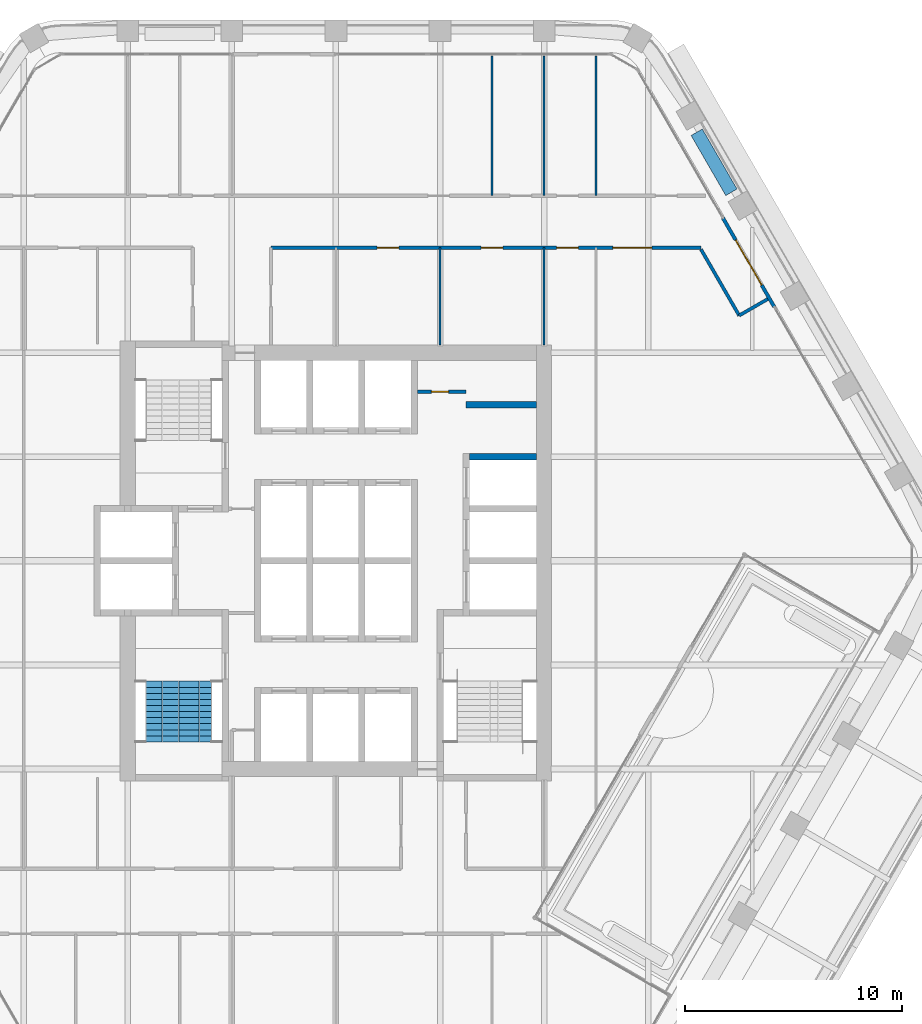
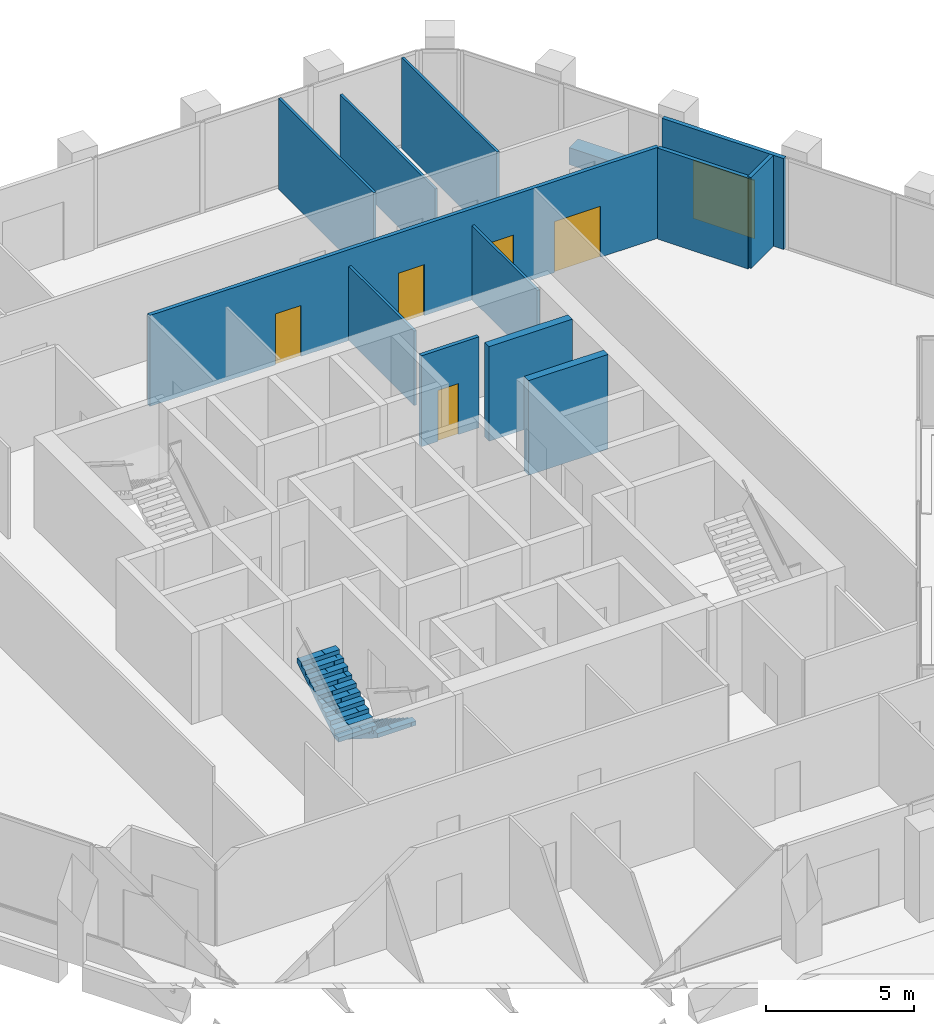
# One storey, part 14 of 17: 13 walls, 6 doors, 2 stair flights, 6 openings, 1 element without a shape of its own.
"""IFC4 building model written with IfcOpenShell, lengths in metres."""

import ifcopenshell
import ifcopenshell.guid

model = None  # the IFC model being written
_history = None  # IfcOwnerHistory: only IFC2X3 demands one
_inside = {}  # id of a spatial element -> (the spatial element, [elements in it])
_under = {}  # id of a project, library or spatial element -> (it, [spatial elements below it])
_declared = {}  # id of a project -> (the project, [libraries it declares])
_typed = {}  # id of a type object -> (the type object, [elements of that type])
_made_of = {}  # id of a material, layer set ... -> (it, [elements and type objects made of it])


def new_model(schema):
    """Start an empty IFC model of exactly this schema.

    Asked for "IFC4X3", IfcOpenShell would pick the latest addendum, in which some entities
    have other attributes; the version numbers below select the first issue.
    IFC2X3 requires an IfcOwnerHistory on every rooted entity: one is made here for all.
    """
    global model, _history
    if schema == "IFC4X3":
        model = ifcopenshell.file(schema_version=(4, 3, 0, 0))
    else:
        model = ifcopenshell.file(schema=schema)
    _inside.clear()
    _under.clear()
    _declared.clear()
    _typed.clear()
    _made_of.clear()
    _history = None
    if model.schema == "IFC2X3":
        org = make("IfcOrganization", Name="unknown")
        user = make(
            "IfcPersonAndOrganization",
            ThePerson=make("IfcPerson", FamilyName="unknown"),
            TheOrganization=org,
        )
        app = make(
            "IfcApplication",
            ApplicationDeveloper=org,
            Version="unknown",
            ApplicationFullName="unknown",
            ApplicationIdentifier="unknown",
        )
        _history = make(
            "IfcOwnerHistory",
            OwningUser=user,
            OwningApplication=app,
            ChangeAction="ADDED",
            CreationDate=0,
        )
    return model


def make(cls, **values):
    """One entity of the class cls with the attributes given. An attribute that is None is left unset."""
    return model.create_entity(
        cls, **{name: value for name, value in values.items() if value is not None}
    )


def rooted(cls, **values):
    """An entity with a GlobalId (a new one), such as an element, a storey or a relation."""
    return make(cls, GlobalId=ifcopenshell.guid.new(), OwnerHistory=_history, **values)


def si_unit(unit_type, name, prefix=None):
    """IfcSIUnit, for example si_unit("LENGTHUNIT", "METRE", prefix="MILLI")."""
    return make("IfcSIUnit", UnitType=unit_type, Prefix=prefix, Name=name)


def assignment(units):
    """IfcUnitAssignment: the units of a project."""
    return None if units is None else make("IfcUnitAssignment", Units=units)


def point(xyz):
    """IfcCartesianPoint."""
    return None if xyz is None else make("IfcCartesianPoint", Coordinates=xyz)


def direction(xyz):
    """IfcDirection."""
    return None if xyz is None else make("IfcDirection", DirectionRatios=xyz)


def frame(location, z_axis=None, x_axis=None):
    """IfcAxis2Placement3D, a coordinate frame: its origin and axes. An axis left out is left unset."""
    return make(
        "IfcAxis2Placement3D",
        Location=point(location),
        Axis=direction(z_axis),
        RefDirection=direction(x_axis),
    )


def frame_2d(location, x_axis=None):
    """IfcAxis2Placement2D, a coordinate frame in the plane: its origin and x axis."""
    return make(
        "IfcAxis2Placement2D", Location=point(location), RefDirection=direction(x_axis)
    )


def origin():
    """The frame at (0, 0, 0) with its axes left unset."""
    return frame((0.0, 0.0, 0.0))


def place(relative_to, where):
    """IfcLocalPlacement: puts the frame where relative to a parent placement (None: the world)."""
    return make(
        "IfcLocalPlacement", PlacementRelTo=relative_to, RelativePlacement=where
    )


def context(
    kind, dimensions, precision=None, world=None, true_north=None, identifier=None
):
    """IfcGeometricRepresentationContext, for example the 3D "Model" context."""
    return make(
        "IfcGeometricRepresentationContext",
        ContextIdentifier=identifier,
        ContextType=kind,
        CoordinateSpaceDimension=dimensions,
        Precision=precision,
        WorldCoordinateSystem=world,
        TrueNorth=true_north,
    )


def subcontext(parent, identifier, kind, view, scale=None):
    """IfcGeometricRepresentationSubContext, for example "Body" below "Model"."""
    return make(
        "IfcGeometricRepresentationSubContext",
        ContextIdentifier=identifier,
        ContextType=kind,
        ParentContext=parent,
        TargetScale=scale,
        TargetView=view,
    )


def project(units=None, contexts=None):
    """IfcProject with its units and contexts."""
    return rooted(
        "IfcProject",
        Name="project",
        RepresentationContexts=contexts,
        UnitsInContext=assignment(units),
    )


def spatial(cls, under=None, at=None, **own):
    """A site, building, storey or space (cls), placed at a placement, below another one or the project."""
    s = rooted(cls, ObjectPlacement=at, **own)
    if under is not None:
        _under.setdefault(under.id(), (under, []))[1].append(s)
    return s


def polyline(points):
    """IfcPolyline through the points."""
    return make("IfcPolyline", Points=[point(p) for p in points])


def profile(cls, at=None, kind="AREA", **sizes):
    """A parametric profile (cls). Its sizes go by their IFC names, for example OverallWidth=200.0."""
    return make(cls, ProfileType=kind, Position=at, **sizes)


def rectangle(**sizes):
    """IfcRectangleProfileDef."""
    return profile("IfcRectangleProfileDef", **sizes)


def outline(outer, holes=None, kind="AREA"):
    """IfcArbitraryClosedProfileDef: a profile drawn as a closed curve; with holes, ...WithVoids."""
    if holes is None:
        return make("IfcArbitraryClosedProfileDef", ProfileType=kind, OuterCurve=outer)
    return make(
        "IfcArbitraryProfileDefWithVoids",
        ProfileType=kind,
        OuterCurve=outer,
        InnerCurves=holes,
    )


def extrude(swept, where, along, depth):
    """IfcExtrudedAreaSolid: the profile swept, set in the frame where, extruded along a direction by depth."""
    return make(
        "IfcExtrudedAreaSolid",
        SweptArea=swept,
        Position=where,
        ExtrudedDirection=direction(along),
        Depth=depth,
    )


def shape(context_of_items, identifier, shape_type, items):
    """IfcShapeRepresentation: the items that make up one representation, for example the "Body"."""
    return make(
        "IfcShapeRepresentation",
        ContextOfItems=context_of_items,
        RepresentationIdentifier=identifier,
        RepresentationType=shape_type,
        Items=items,
    )


def material(Name=None, Category=None):
    """IfcMaterial."""
    return make("IfcMaterial", Name=Name, Category=Category)


def layer(
    of_material, thickness, ventilated=None, Name=None, Category=None, Priority=None
):
    """IfcMaterialLayer: one layer of a wall or slab, of a material (None: an air gap)."""
    return make(
        "IfcMaterialLayer",
        Material=of_material,
        LayerThickness=thickness,
        IsVentilated=ventilated,
        Name=Name,
        Category=Category,
        Priority=Priority,
    )


def layer_set(layers, Name=None):
    """IfcMaterialLayerSet."""
    return make("IfcMaterialLayerSet", MaterialLayers=layers, LayerSetName=Name)


def made_of(thing, what):
    """Note that an element or type object is made of a material, layer set ...; save() writes the relation."""
    if what is not None:
        _made_of.setdefault(what.id(), (what, []))[1].append(thing)
    return thing


def type_object(cls, material=None, **own):
    """A type object (cls), such as IfcWallType, which elements share."""
    return made_of(rooted(cls, **own), material)


def element(
    cls,
    number,
    at=None,
    inside=None,
    cuts=None,
    type_object=None,
    material=None,
    context=None,
    identifier="Body",
    shape_type=None,
    held_by="IfcProductDefinitionShape",
    body=None,
    shapes=None,
    **own,
):
    """One element of the class cls, such as IfcWall. Its Tag is "e" and its number.

    at: its placement. inside: the storey or other place that contains it. cuts: it is an
    opening in that element (IfcRelVoidsElement). A single representation is given by context,
    identifier, shape_type and body (its items); several are given by shapes. held_by: the class
    of the entity that holds the representations. save() writes the other relations.
    """
    e = rooted(cls, Tag="e%d" % number, ObjectPlacement=at, **own)
    if body is not None:
        shapes = [shape(context, identifier, shape_type, body)]
    if shapes is not None:
        e.Representation = make(held_by, Representations=shapes)
    if inside is not None:
        _inside.setdefault(inside.id(), (inside, []))[1].append(e)
    if cuts is not None:
        rooted(
            "IfcRelVoidsElement", RelatingBuildingElement=cuts, RelatedOpeningElement=e
        )
    if type_object is not None:
        _typed.setdefault(type_object.id(), (type_object, []))[1].append(e)
    return made_of(e, material)


def fill(opening, filler):
    """IfcRelFillsElement: the door or window that sits in an opening."""
    return rooted(
        "IfcRelFillsElement",
        RelatingOpeningElement=opening,
        RelatedBuildingElement=filler,
    )


def aggregate(whole, parts):
    """IfcRelAggregates: a whole, such as a stair, and the parts it consists of."""
    return rooted("IfcRelAggregates", RelatingObject=whole, RelatedObjects=parts)


def save(model, path):
    """Write the relations noted so far, then the file.

    IfcRelAggregates (storeys below a building ...), IfcRelContainedInSpatialStructure (elements
    in a storey), IfcRelDefinesByType, IfcRelAssociatesMaterial and IfcRelDeclares: one each for
    every whole, place, type object, material and project.
    """
    for whole, parts in _under.values():
        aggregate(whole, parts)
    for where, things in _inside.values():
        rooted(
            "IfcRelContainedInSpatialStructure",
            RelatedElements=things,
            RelatingStructure=where,
        )
    for kind, things in _typed.values():
        rooted("IfcRelDefinesByType", RelatedObjects=things, RelatingType=kind)
    for what, things in _made_of.values():
        rooted("IfcRelAssociatesMaterial", RelatedObjects=things, RelatingMaterial=what)
    for by, libraries in _declared.values():
        rooted("IfcRelDeclares", RelatingContext=by, RelatedDefinitions=libraries)
    model.write(path)


model = new_model("IFC4")

# Units and contexts
model_context = context("Model", 3, precision=1e-05, world=origin(), true_north=direction((0.0, 1.0)))
body_context = subcontext(model_context, "Body", "Model", "MODEL_VIEW")
ifc_project = project(units=[si_unit("LENGTHUNIT", "METRE"), si_unit("AREAUNIT", "SQUARE_METRE"), si_unit("VOLUMEUNIT", "CUBIC_METRE"), si_unit("PLANEANGLEUNIT", "RADIAN"), si_unit("MASSUNIT", "GRAM", prefix="KILO")], contexts=[model_context])

# Site, building, storey
site_placement = place(None, origin())
site = spatial("IfcSite", under=ifc_project, at=site_placement, CompositionType="ELEMENT")
building_placement = place(site_placement, origin())
building = spatial("IfcBuilding", under=site, at=building_placement, Name="Kolab Exchange Tower", CompositionType="ELEMENT")
storey_placement = place(building_placement, frame((0.0, 0.0, 197.300048828125)))
storey = spatial("IfcBuildingStorey", under=building, at=storey_placement, Name="L42", CompositionType="ELEMENT", Elevation=197.300048828125)

# Wall, opening, door
ifc_material_1 = material(Name="Aluminium EN AW-6063 T6", Category="aluminium")
ifc_layer_1 = layer(ifc_material_1, 0.159912109375)
ifc_layer_set_1 = layer_set([ifc_layer_1], Name="Aluminium EN AW-6063 T6")
wall_type_1 = type_object("IfcWallType", Name="DOOR SURROUND WALL 160 ALUMINIUM FRAMED", PredefinedType="PARTITIONING", material=ifc_layer_set_1)
wall_1_placement = place(storey_placement, frame((17.8466796875, 15.811767578125, 0.0), z_axis=(0.0, 0.0, 1.0), x_axis=(0.5000167099, -0.866015756104, 0.0)))
wall_1 = element("IfcWall", 1, at=wall_1_placement, inside=storey, type_object=wall_type_1, Name="Door surround wall", PredefinedType="PARTITIONING", context=body_context, shape_type="SweptSolid", body=[
    extrude(rectangle(XDim=4.739990234375, YDim=0.159912109375, at=frame_2d((2.3701171875, 0.0))), origin(), (0.0, 0.0, 1.0), 3.75),
])
opening_1_placement = place(wall_1_placement, frame((1.169921875, 0.0, 0.0)))
opening_1 = element("IfcOpeningElement", 2, at=opening_1_placement, cuts=wall_1, Name="Opening GD1-065", PredefinedType="OPENING", context=body_context, shape_type="SweptSolid", body=[
    extrude(rectangle(XDim=2.39990234375, YDim=2.39990234375, at=frame_2d((1.199951171875, 1.199951171875))), frame((0.0, 0.08984375, 0.0), z_axis=(0.0, -1.0, 0.0), x_axis=(1.0, 0.0, 0.0)), (0.0, 0.0, 1.0), 0.179931640625),
])
door_type_1 = type_object("IfcDoorType", Name="LOGGIA SLIDING GLASS DOOR 2400 X 2400", OperationType="DOUBLE_DOOR_SINGLE_SWING", PredefinedType="DOOR", material=ifc_material_1)
door_1_placement = place(opening_1_placement, origin())
door_1 = element("IfcDoor", 3, at=door_1_placement, inside=storey, type_object=door_type_1, Name="Loggia door", OperationType="DOUBLE_DOOR_SLIDING", OverallHeight=2.39990234375, OverallWidth=2.39990234375, PredefinedType="DOOR", context=body_context, shape_type="SweptSolid", body=[
    extrude(rectangle(XDim=2.39990234375, YDim=2.39990234375, at=frame_2d((1.199951171875, 1.199951171875))), frame((0.0, 0.02490234375, 0.0), z_axis=(0.0, -1.0, 0.0), x_axis=(1.0, 0.0, 0.0)), (0.0, 0.0, 1.0), 0.050048828125),
])
fill(opening_1, door_1)

# Walls
ifc_material_2 = material(Name="Concrete C50/60", Category="concrete")
ifc_layer_2 = layer(ifc_material_2, 0.300048828125)
ifc_layer_set_2 = layer_set([ifc_layer_2], Name="Concrete C50/60")
wall_type_2 = type_object("IfcWallType", Name="LIFT SHAFT WALL 300 C50/60", PredefinedType="STANDARD", material=ifc_layer_set_2)
wall_2_placement = place(storey_placement, frame((6.14990234375, 4.800048828125, -0.150146484375), z_axis=(0.0, 0.0, 1.0), x_axis=(1.0, 0.0, 0.0)))
element("IfcWall", 4, at=wall_2_placement, inside=storey, type_object=wall_type_2, Name="wall/L42/core/026", PredefinedType="STANDARD", context=body_context, shape_type="SweptSolid", body=[
    extrude(rectangle(XDim=3.10009765625, YDim=0.300048828125, at=frame_2d((1.550048828125, 0.0))), origin(), (0.0, 0.0, 1.0), 3.900146484375),
])
wall_3_placement = place(storey_placement, frame((6.0, 7.199951171875, -0.150146484375), z_axis=(0.0, 0.0, 1.0), x_axis=(1.0, 0.0, 0.0)))
element("IfcWall", 5, at=wall_3_placement, inside=storey, type_object=wall_type_2, Name="wall/L42/core/030", PredefinedType="STANDARD", context=body_context, shape_type="SweptSolid", body=[
    extrude(rectangle(XDim=3.25, YDim=0.300048828125, at=frame_2d((1.625, 0.0))), origin(), (0.0, 0.0, 1.0), 3.900146484375),
])
ifc_material_3 = material(Name="Gypsum board", Category="gypsum")
ifc_layer_3 = layer(ifc_material_3, 0.10009765625)
ifc_layer_set_3 = layer_set([ifc_layer_3], Name="Gypsum board")
wall_type_3 = type_object("IfcWallType", Name="PARTITION 100", PredefinedType="PARTITIONING", material=ifc_layer_set_3)
wall_4_placement = place(storey_placement, frame((12.0, 16.841552734375, 0.0), z_axis=(0.0, 0.0, 1.0), x_axis=(0.0, 1.0, 0.0)))
element("IfcWall", 6, at=wall_4_placement, inside=storey, type_object=wall_type_3, Name="Partition 001", PredefinedType="PARTITIONING", context=body_context, shape_type="SweptSolid", body=[
    extrude(rectangle(XDim=6.429931640625, YDim=0.10009765625, at=frame_2d((3.21484375, 0.0))), origin(), (0.0, 0.0, 1.0), 3.75),
])
wall_5_placement = place(storey_placement, frame((9.60009765625, 9.949951171875, 0.0), z_axis=(0.0, 0.0, 1.0), x_axis=(0.0, 1.0, 0.0)))
element("IfcWall", 7, at=wall_5_placement, inside=storey, type_object=wall_type_3, Name="Partition 003", PredefinedType="PARTITIONING", context=body_context, shape_type="SweptSolid", body=[
    extrude(rectangle(XDim=4.491455078125, YDim=0.10009765625, at=frame_2d((2.24560546875, 0.0))), origin(), (0.0, 0.0, 1.0), 3.06591796875),
])
wall_6_placement = place(storey_placement, frame((9.60009765625, 16.841552734375, 0.0), z_axis=(0.0, 0.0, 1.0), x_axis=(0.0, 1.0, 0.0)))
element("IfcWall", 8, at=wall_6_placement, inside=storey, type_object=wall_type_3, Name="Partition 004", PredefinedType="PARTITIONING", context=body_context, shape_type="SweptSolid", body=[
    extrude(rectangle(XDim=6.429931640625, YDim=0.10009765625, at=frame_2d((3.21484375, 0.0))), origin(), (0.0, 0.0, 1.0), 3.06591796875),
])
wall_7_placement = place(storey_placement, frame((7.199951171875, 16.841552734375, 0.0), z_axis=(0.0, 0.0, 1.0), x_axis=(0.0, 1.0, 0.0)))
element("IfcWall", 9, at=wall_7_placement, inside=storey, type_object=wall_type_3, Name="Partition 006", PredefinedType="PARTITIONING", context=body_context, shape_type="SweptSolid", body=[
    extrude(rectangle(XDim=6.429931640625, YDim=0.10009765625, at=frame_2d((3.21484375, 0.0))), origin(), (0.0, 0.0, 1.0), 3.75),
])
wall_8_placement = place(storey_placement, frame((4.800048828125, 9.949951171875, 0.0), z_axis=(0.0, 0.0, 1.0), x_axis=(0.0, 1.0, 0.0)))
element("IfcWall", 10, at=wall_8_placement, inside=storey, type_object=wall_type_3, Name="Partition 008", PredefinedType="PARTITIONING", context=body_context, shape_type="SweptSolid", body=[
    extrude(rectangle(XDim=4.491455078125, YDim=0.10009765625, at=frame_2d((2.24560546875, 0.0))), origin(), (0.0, 0.0, 1.0), 3.06591796875),
])
ifc_layer_4 = layer(ifc_material_3, 0.14990234375)
ifc_layer_set_4 = layer_set([ifc_layer_4], Name="Gypsum board")
wall_type_4 = type_object("IfcWallType", Name="PARTITION 150 FIRE-RATED", PredefinedType="PARTITIONING", material=ifc_layer_set_4)
wall_9_placement = place(storey_placement, frame((16.8359375, 14.3623046875, 0.0), z_axis=(0.0, 0.0, 1.0), x_axis=(0.499980607609, -0.866036599697, 0.0)))
element("IfcWall", 11, at=wall_9_placement, inside=storey, type_object=wall_type_4, Name="Partition 027", PredefinedType="PARTITIONING", context=body_context, shape_type="SweptSolid", body=[
    extrude(rectangle(XDim=3.520263671875, YDim=0.14990234375, at=frame_2d((1.76025390625, 0.0))), origin(), (0.0, 0.0, 1.0), 3.75),
])
wall_10_placement = place(storey_placement, frame((18.595947265625, 11.313720703125, 0.0), z_axis=(0.0, 0.0, 1.0), x_axis=(0.866030456496, 0.499991248344, 0.0)))
element("IfcWall", 12, at=wall_10_placement, inside=storey, type_object=wall_type_4, Name="Partition 029", PredefinedType="PARTITIONING", context=body_context, shape_type="SweptSolid", body=[
    extrude(rectangle(XDim=1.52001953125, YDim=0.14990234375, at=frame_2d((0.760009765625, 0.0))), origin(), (0.0, 0.0, 1.0), 3.75),
])

# Wall, opening, door
wall_11_placement = place(storey_placement, frame((3.75, 7.800048828125, 0.0), z_axis=(0.0, 0.0, 1.0), x_axis=(1.0, 0.0, 0.0)))
wall_11 = element("IfcWall", 13, at=wall_11_placement, inside=storey, type_object=wall_type_4, Name="Partition 034", PredefinedType="PARTITIONING", context=body_context, shape_type="SweptSolid", body=[
    extrude(rectangle(XDim=2.25, YDim=0.14990234375, at=frame_2d((1.125, 0.0))), origin(), (0.0, 0.0, 1.0), 3.75),
])
opening_2_placement = place(wall_11_placement, frame((0.64990234375, 0.0, 0.0)))
opening_2 = element("IfcOpeningElement", 14, at=opening_2_placement, cuts=wall_11, Name="Opening D7-035", PredefinedType="OPENING", context=body_context, shape_type="SweptSolid", body=[
    extrude(rectangle(XDim=0.800048828125, YDim=2.10009765625, at=frame_2d((0.39990234375, 1.050048828125))), frame((0.0, 0.0849609375, 0.0), z_axis=(0.0, -1.0, 0.0), x_axis=(1.0, 0.0, 0.0)), (0.0, 0.0, 1.0), 0.169921875),
])
ifc_material_4 = material(Name="Steel S235", Category="steel")
door_type_2 = type_object("IfcDoorType", Name="FLUSH DOOR 800 FD60", OperationType="SINGLE_SWING_LEFT", PredefinedType="DOOR", material=ifc_material_4)
door_2_placement = place(opening_2_placement, origin())
door_2 = element("IfcDoor", 15, at=door_2_placement, inside=storey, type_object=door_type_2, Name="Door L42-023", OperationType="SINGLE_SWING_LEFT", OverallHeight=2.10009765625, OverallWidth=0.800048828125, PredefinedType="DOOR", context=body_context, shape_type="SweptSolid", body=[
    extrude(rectangle(XDim=0.800048828125, YDim=2.10009765625, at=frame_2d((0.39990234375, 1.050048828125))), frame((0.0, 0.02490234375, 0.0), z_axis=(0.0, -1.0, 0.0), x_axis=(1.0, 0.0, 0.0)), (0.0, 0.0, 1.0), 0.050048828125),
])
fill(opening_2, door_2)

# Wall, openings, doors
wall_12_placement = place(storey_placement, frame((-3.0, 14.44140625, 0.0), z_axis=(0.0, 0.0, 1.0), x_axis=(1.0, 0.0, 0.0)))
wall_12 = element("IfcWall", 16, at=wall_12_placement, inside=storey, type_object=wall_type_4, Name="Partition 036", PredefinedType="PARTITIONING", context=body_context, shape_type="SweptSolid", body=[
    extrude(rectangle(XDim=19.843017578125, YDim=0.14990234375, at=frame_2d((9.92138671875, 0.0))), origin(), (0.0, 0.0, 1.0), 3.75),
])
opening_3_placement = place(wall_12_placement, frame((4.89990234375, 0.0, 0.0)))
opening_3 = element("IfcOpeningElement", 17, at=opening_3_placement, cuts=wall_12, Name="Opening D1-550", PredefinedType="OPENING", context=body_context, shape_type="SweptSolid", body=[
    extrude(rectangle(XDim=1.0, YDim=2.10009765625, at=frame_2d((0.5, 1.050048828125))), frame((0.0, 0.0849609375, 0.0), z_axis=(0.0, -1.0, 0.0), x_axis=(1.0, 0.0, 0.0)), (0.0, 0.0, 1.0), 0.169921875),
])
opening_4_placement = place(wall_12_placement, frame((9.699951171875, 0.0, 0.0)))
opening_4 = element("IfcOpeningElement", 18, at=opening_4_placement, cuts=wall_12, Name="Opening D1-551", PredefinedType="OPENING", context=body_context, shape_type="SweptSolid", body=[
    extrude(rectangle(XDim=1.0, YDim=2.10009765625, at=frame_2d((0.5, 1.050048828125))), frame((0.0, 0.0849609375, 0.0), z_axis=(0.0, -1.0, 0.0), x_axis=(1.0, 0.0, 0.0)), (0.0, 0.0, 1.0), 0.169921875),
])
opening_5_placement = place(wall_12_placement, frame((13.175048828125, 0.0, 0.0)))
opening_5 = element("IfcOpeningElement", 19, at=opening_5_placement, cuts=wall_12, Name="Opening D1-567", PredefinedType="OPENING", context=body_context, shape_type="SweptSolid", body=[
    extrude(rectangle(XDim=1.0, YDim=2.10009765625, at=frame_2d((0.5, 1.050048828125))), frame((0.0, 0.0849609375, 0.0), z_axis=(0.0, -1.0, 0.0), x_axis=(1.0, 0.0, 0.0)), (0.0, 0.0, 1.0), 0.169921875),
])
opening_6_placement = place(wall_12_placement, frame((15.771484375, 0.0, 0.0)))
opening_6 = element("IfcOpeningElement", 20, at=opening_6_placement, cuts=wall_12, Name="Opening D2-057", PredefinedType="OPENING", context=body_context, shape_type="SweptSolid", body=[
    extrude(rectangle(XDim=1.800048828125, YDim=2.10009765625, at=frame_2d((0.89990234375, 1.050048828125))), frame((0.0, 0.0849609375, 0.0), z_axis=(0.0, -1.0, 0.0), x_axis=(1.0, 0.0, 0.0)), (0.0, 0.0, 1.0), 0.169921875),
])
door_type_3 = type_object("IfcDoorType", Name="DOUBLE DOOR 1800 FD60", OperationType="DOUBLE_DOOR_SINGLE_SWING", PredefinedType="DOOR", material=ifc_material_4)
door_3_placement = place(opening_6_placement, frame((1.800048828125, 0.0, 0.0), z_axis=(0.0, 0.0, 1.0), x_axis=(-1.0, 0.0, 0.0)))
door_3 = element("IfcDoor", 21, at=door_3_placement, inside=storey, type_object=door_type_3, Name="Door L42-053", OperationType="SINGLE_SWING_LEFT", OverallHeight=2.10009765625, OverallWidth=1.800048828125, PredefinedType="DOOR", context=body_context, shape_type="SweptSolid", body=[
    extrude(rectangle(XDim=1.800048828125, YDim=2.10009765625, at=frame_2d((0.89990234375, 1.050048828125))), frame((0.0, 0.02490234375, 0.0), z_axis=(0.0, -1.0, 0.0), x_axis=(1.0, 0.0, 0.0)), (0.0, 0.0, 1.0), 0.050048828125),
])
fill(opening_6, door_3)
door_type_4 = type_object("IfcDoorType", Name="FLUSH DOOR 1000 FD60", OperationType="SINGLE_SWING_LEFT", PredefinedType="DOOR", material=ifc_material_4)
door_4_placement = place(opening_3_placement, frame((1.0, 0.0, 0.0), z_axis=(0.0, 0.0, 1.0), x_axis=(-1.0, 0.0, 0.0)))
door_4 = element("IfcDoor", 22, at=door_4_placement, inside=storey, type_object=door_type_4, Name="Door L42-032", OperationType="SINGLE_SWING_RIGHT", OverallHeight=2.10009765625, OverallWidth=1.0, PredefinedType="DOOR", context=body_context, shape_type="SweptSolid", body=[
    extrude(rectangle(XDim=1.0, YDim=2.10009765625, at=frame_2d((0.5, 1.050048828125))), frame((0.0, 0.02490234375, 0.0), z_axis=(0.0, -1.0, 0.0), x_axis=(1.0, 0.0, 0.0)), (0.0, 0.0, 1.0), 0.050048828125),
])
fill(opening_3, door_4)
door_5_placement = place(opening_4_placement, frame((1.0, 0.0, 0.0), z_axis=(0.0, 0.0, 1.0), x_axis=(-1.0, 0.0, 0.0)))
door_5 = element("IfcDoor", 23, at=door_5_placement, inside=storey, type_object=door_type_4, Name="Door L42-033", OperationType="SINGLE_SWING_LEFT", OverallHeight=2.10009765625, OverallWidth=1.0, PredefinedType="DOOR", context=body_context, shape_type="SweptSolid", body=[
    extrude(rectangle(XDim=1.0, YDim=2.10009765625, at=frame_2d((0.5, 1.050048828125))), frame((0.0, 0.02490234375, 0.0), z_axis=(0.0, -1.0, 0.0), x_axis=(1.0, 0.0, 0.0)), (0.0, 0.0, 1.0), 0.050048828125),
])
fill(opening_4, door_5)
door_6_placement = place(opening_5_placement, frame((1.0, 0.0, 0.0), z_axis=(0.0, 0.0, 1.0), x_axis=(-1.0, 0.0, 0.0)))
door_6 = element("IfcDoor", 24, at=door_6_placement, inside=storey, type_object=door_type_4, Name="Door L42-052", OperationType="SINGLE_SWING_LEFT", OverallHeight=2.10009765625, OverallWidth=1.0, PredefinedType="DOOR", context=body_context, shape_type="SweptSolid", body=[
    extrude(rectangle(XDim=1.0, YDim=2.10009765625, at=frame_2d((0.5, 1.050048828125))), frame((0.0, 0.02490234375, 0.0), z_axis=(0.0, -1.0, 0.0), x_axis=(1.0, 0.0, 0.0)), (0.0, 0.0, 1.0), 0.050048828125),
])
fill(opening_5, door_6)

# Wall
ifc_material_5 = material(Name="Granite facing", Category="masonry")
ifc_layer_5 = layer(ifc_material_5, 0.0400390625)
ifc_material_6 = material(Name="Concrete C40/50 precast", Category="concrete")
ifc_layer_6 = layer(ifc_material_6, 0.56005859375)
ifc_layer_set_5 = layer_set([ifc_layer_5, ifc_layer_6], Name="Concrete C40/50 precast")
wall_type_5 = type_object("IfcWallType", Name="PLANTER BOX 600 X 700 SOIL DEPTH 550", PredefinedType="USERDEFINED", material=ifc_layer_set_5)
wall_13_placement = place(storey_placement, frame((16.636962890625, 19.766845703125, 0.0), z_axis=(0.0, 0.0, 1.0), x_axis=(0.500028443584, -0.866008981251, 0.0)))
element("IfcWall", 25, at=wall_13_placement, inside=storey, type_object=wall_type_5, Name="Planter", ObjectType="PLANTER", PredefinedType="USERDEFINED", context=body_context, shape_type="SweptSolid", body=[
    extrude(rectangle(XDim=3.199951171875, YDim=0.60009765625, at=frame_2d((1.60009765625, 0.0))), origin(), (0.0, 0.0, 1.0), 0.699951171875),
])

# Stair, stair flights
stair_type = type_object("IfcStairType", Name="STAIR ST3 RISER 177.3", PredefinedType="HALF_TURN_STAIR", material=ifc_material_2)
stair_placement = place(storey_placement, origin())
stair = element("IfcStair", 26, at=stair_placement, inside=storey, type_object=stair_type, Name="Stair 3", PredefinedType="HALF_TURN_STAIR")
stair_flight_type = type_object("IfcStairFlightType", Name="STAIR FLIGHT 1500 RISER 177.3", PredefinedType="STRAIGHT", material=ifc_material_2)
stair_flight_1_placement = place(storey_placement, frame((-6.489990234375, -5.550048828125, 0.0), z_axis=(0.0, 0.0, 1.0), x_axis=(0.0, -1.0, 0.0)))
stair_flight_1 = element("IfcStairFlight", 27, at=stair_flight_1_placement, type_object=stair_flight_type, Name="ST3 flight 1", NumberOfRisers=11, NumberOfTreads=10, PredefinedType="STRAIGHT", RiserHeight=0.177272727, TreadLength=0.28, context=body_context, shape_type="SweptSolid", body=[
    extrude(outline(polyline([(0.0, 0.0), (0.0, 0.17724609375), (0.280029296875, 0.17724609375), (0.280029296875, 0.3544921875), (0.56005859375, 0.3544921875), (0.56005859375, 0.53173828125), (0.840087890625, 0.53173828125), (0.840087890625, 0.708984375), (1.1201171875, 0.708984375), (1.1201171875, 0.886474609375), (1.39990234375, 0.886474609375), (1.39990234375, 1.063720703125), (1.679931640625, 1.063720703125), (1.679931640625, 1.240966796875), (1.9599609375, 1.240966796875), (1.9599609375, 1.418212890625), (2.239990234375, 1.418212890625), (2.239990234375, 1.595458984375), (2.52001953125, 1.595458984375), (2.52001953125, 1.772705078125), (2.800048828125, 1.772705078125), (2.800048828125, 1.949951171875), (2.800048828125, 1.59521484375), (0.2802734375, 0.0), (0.0, 0.0)])), frame((0.0, 0.75, 0.0), z_axis=(0.0, -1.0, 0.0), x_axis=(1.0, 0.0, 0.0)), (0.0, 0.0, 1.0), 0.185791015625),
    extrude(outline(polyline([(0.0, 0.0), (0.0, 0.17724609375), (0.280029296875, 0.17724609375), (0.280029296875, 0.3544921875), (0.56005859375, 0.3544921875), (0.56005859375, 0.53173828125), (0.840087890625, 0.53173828125), (0.840087890625, 0.708984375), (1.1201171875, 0.708984375), (1.1201171875, 0.886474609375), (1.39990234375, 0.886474609375), (1.39990234375, 1.063720703125), (1.679931640625, 1.063720703125), (1.679931640625, 1.240966796875), (1.9599609375, 1.240966796875), (1.9599609375, 1.418212890625), (2.239990234375, 1.418212890625), (2.239990234375, 1.595458984375), (2.52001953125, 1.595458984375), (2.52001953125, 1.772705078125), (2.800048828125, 1.772705078125), (2.800048828125, 1.949951171875), (2.800048828125, 1.59521484375), (0.2802734375, 0.0), (0.0, 0.0)])), frame((0.0, 0.562255859375, 0.0), z_axis=(0.0, -1.0, 0.0), x_axis=(1.0, 0.0, 0.0)), (0.0, 0.0, 1.0), 0.185791015625),
    extrude(outline(polyline([(0.0, 0.0), (0.0, 0.17724609375), (0.280029296875, 0.17724609375), (0.280029296875, 0.3544921875), (0.56005859375, 0.3544921875), (0.56005859375, 0.53173828125), (0.840087890625, 0.53173828125), (0.840087890625, 0.708984375), (1.1201171875, 0.708984375), (1.1201171875, 0.886474609375), (1.39990234375, 0.886474609375), (1.39990234375, 1.063720703125), (1.679931640625, 1.063720703125), (1.679931640625, 1.240966796875), (1.9599609375, 1.240966796875), (1.9599609375, 1.418212890625), (2.239990234375, 1.418212890625), (2.239990234375, 1.595458984375), (2.52001953125, 1.595458984375), (2.52001953125, 1.772705078125), (2.800048828125, 1.772705078125), (2.800048828125, 1.949951171875), (2.800048828125, 1.59521484375), (0.2802734375, 0.0), (0.0, 0.0)])), frame((0.0, 0.37451171875, 0.0), z_axis=(0.0, -1.0, 0.0), x_axis=(1.0, 0.0, 0.0)), (0.0, 0.0, 1.0), 0.185791015625),
    extrude(outline(polyline([(0.0, 0.0), (0.0, 0.17724609375), (0.280029296875, 0.17724609375), (0.280029296875, 0.3544921875), (0.56005859375, 0.3544921875), (0.56005859375, 0.53173828125), (0.840087890625, 0.53173828125), (0.840087890625, 0.708984375), (1.1201171875, 0.708984375), (1.1201171875, 0.886474609375), (1.39990234375, 0.886474609375), (1.39990234375, 1.063720703125), (1.679931640625, 1.063720703125), (1.679931640625, 1.240966796875), (1.9599609375, 1.240966796875), (1.9599609375, 1.418212890625), (2.239990234375, 1.418212890625), (2.239990234375, 1.595458984375), (2.52001953125, 1.595458984375), (2.52001953125, 1.772705078125), (2.800048828125, 1.772705078125), (2.800048828125, 1.949951171875), (2.800048828125, 1.59521484375), (0.2802734375, 0.0), (0.0, 0.0)])), frame((0.0, 0.186767578125, 0.0), z_axis=(0.0, -1.0, 0.0), x_axis=(1.0, 0.0, 0.0)), (0.0, 0.0, 1.0), 0.185791015625),
    extrude(outline(polyline([(0.0, 0.0), (0.0, 0.17724609375), (0.280029296875, 0.17724609375), (0.280029296875, 0.3544921875), (0.56005859375, 0.3544921875), (0.56005859375, 0.53173828125), (0.840087890625, 0.53173828125), (0.840087890625, 0.708984375), (1.1201171875, 0.708984375), (1.1201171875, 0.886474609375), (1.39990234375, 0.886474609375), (1.39990234375, 1.063720703125), (1.679931640625, 1.063720703125), (1.679931640625, 1.240966796875), (1.9599609375, 1.240966796875), (1.9599609375, 1.418212890625), (2.239990234375, 1.418212890625), (2.239990234375, 1.595458984375), (2.52001953125, 1.595458984375), (2.52001953125, 1.772705078125), (2.800048828125, 1.772705078125), (2.800048828125, 1.949951171875), (2.800048828125, 1.59521484375), (0.2802734375, 0.0), (0.0, 0.0)])), frame((0.0, -0.0009765625, 0.0), z_axis=(0.0, -1.0, 0.0), x_axis=(1.0, 0.0, 0.0)), (0.0, 0.0, 1.0), 0.185791015625),
    extrude(outline(polyline([(0.0, 0.0), (0.0, 0.17724609375), (0.280029296875, 0.17724609375), (0.280029296875, 0.3544921875), (0.56005859375, 0.3544921875), (0.56005859375, 0.53173828125), (0.840087890625, 0.53173828125), (0.840087890625, 0.708984375), (1.1201171875, 0.708984375), (1.1201171875, 0.886474609375), (1.39990234375, 0.886474609375), (1.39990234375, 1.063720703125), (1.679931640625, 1.063720703125), (1.679931640625, 1.240966796875), (1.9599609375, 1.240966796875), (1.9599609375, 1.418212890625), (2.239990234375, 1.418212890625), (2.239990234375, 1.595458984375), (2.52001953125, 1.595458984375), (2.52001953125, 1.772705078125), (2.800048828125, 1.772705078125), (2.800048828125, 1.949951171875), (2.800048828125, 1.59521484375), (0.2802734375, 0.0), (0.0, 0.0)])), frame((0.0, -0.188720703125, 0.0), z_axis=(0.0, -1.0, 0.0), x_axis=(1.0, 0.0, 0.0)), (0.0, 0.0, 1.0), 0.185791015625),
    extrude(outline(polyline([(0.0, 0.0), (0.0, 0.17724609375), (0.280029296875, 0.17724609375), (0.280029296875, 0.3544921875), (0.56005859375, 0.3544921875), (0.56005859375, 0.53173828125), (0.840087890625, 0.53173828125), (0.840087890625, 0.708984375), (1.1201171875, 0.708984375), (1.1201171875, 0.886474609375), (1.39990234375, 0.886474609375), (1.39990234375, 1.063720703125), (1.679931640625, 1.063720703125), (1.679931640625, 1.240966796875), (1.9599609375, 1.240966796875), (1.9599609375, 1.418212890625), (2.239990234375, 1.418212890625), (2.239990234375, 1.595458984375), (2.52001953125, 1.595458984375), (2.52001953125, 1.772705078125), (2.800048828125, 1.772705078125), (2.800048828125, 1.949951171875), (2.800048828125, 1.59521484375), (0.2802734375, 0.0), (0.0, 0.0)])), frame((0.0, -0.37646484375, 0.0), z_axis=(0.0, -1.0, 0.0), x_axis=(1.0, 0.0, 0.0)), (0.0, 0.0, 1.0), 0.185791015625),
    extrude(outline(polyline([(0.0, 0.0), (0.0, 0.17724609375), (0.280029296875, 0.17724609375), (0.280029296875, 0.3544921875), (0.56005859375, 0.3544921875), (0.56005859375, 0.53173828125), (0.840087890625, 0.53173828125), (0.840087890625, 0.708984375), (1.1201171875, 0.708984375), (1.1201171875, 0.886474609375), (1.39990234375, 0.886474609375), (1.39990234375, 1.063720703125), (1.679931640625, 1.063720703125), (1.679931640625, 1.240966796875), (1.9599609375, 1.240966796875), (1.9599609375, 1.418212890625), (2.239990234375, 1.418212890625), (2.239990234375, 1.595458984375), (2.52001953125, 1.595458984375), (2.52001953125, 1.772705078125), (2.800048828125, 1.772705078125), (2.800048828125, 1.949951171875), (2.800048828125, 1.59521484375), (0.2802734375, 0.0), (0.0, 0.0)])), frame((0.0, -0.564208984375, 0.0), z_axis=(0.0, -1.0, 0.0), x_axis=(1.0, 0.0, 0.0)), (0.0, 0.0, 1.0), 0.185791015625),
])
stair_flight_2_placement = place(storey_placement, frame((-8.010009765625, -8.35009765625, 1.949951171875), z_axis=(0.0, 0.0, 1.0), x_axis=(0.0, 1.0, 0.0)))
stair_flight_2 = element("IfcStairFlight", 28, at=stair_flight_2_placement, type_object=stair_flight_type, Name="ST3 flight 2", NumberOfRisers=11, NumberOfTreads=10, PredefinedType="STRAIGHT", RiserHeight=0.177272727, TreadLength=0.28, context=body_context, shape_type="SweptSolid", body=[
    extrude(outline(polyline([(0.0, 0.0), (0.0, 0.17724609375), (0.280029296875, 0.17724609375), (0.280029296875, 0.3544921875), (0.56005859375, 0.3544921875), (0.56005859375, 0.53173828125), (0.840087890625, 0.53173828125), (0.840087890625, 0.708984375), (1.1201171875, 0.708984375), (1.1201171875, 0.886474609375), (1.39990234375, 0.886474609375), (1.39990234375, 1.063720703125), (1.679931640625, 1.063720703125), (1.679931640625, 1.240966796875), (1.9599609375, 1.240966796875), (1.9599609375, 1.418212890625), (2.239990234375, 1.418212890625), (2.239990234375, 1.595458984375), (2.52001953125, 1.595458984375), (2.52001953125, 1.772705078125), (2.800048828125, 1.772705078125), (2.800048828125, 1.949951171875), (2.800048828125, 1.59521484375), (0.2802734375, 0.0), (0.0, 0.0)])), frame((0.0, 0.75, 0.0), z_axis=(0.0, -1.0, 0.0), x_axis=(1.0, 0.0, 0.0)), (0.0, 0.0, 1.0), 0.185791015625),
    extrude(outline(polyline([(0.0, 0.0), (0.0, 0.17724609375), (0.280029296875, 0.17724609375), (0.280029296875, 0.3544921875), (0.56005859375, 0.3544921875), (0.56005859375, 0.53173828125), (0.840087890625, 0.53173828125), (0.840087890625, 0.708984375), (1.1201171875, 0.708984375), (1.1201171875, 0.886474609375), (1.39990234375, 0.886474609375), (1.39990234375, 1.063720703125), (1.679931640625, 1.063720703125), (1.679931640625, 1.240966796875), (1.9599609375, 1.240966796875), (1.9599609375, 1.418212890625), (2.239990234375, 1.418212890625), (2.239990234375, 1.595458984375), (2.52001953125, 1.595458984375), (2.52001953125, 1.772705078125), (2.800048828125, 1.772705078125), (2.800048828125, 1.949951171875), (2.800048828125, 1.59521484375), (0.2802734375, 0.0), (0.0, 0.0)])), frame((0.0, 0.562255859375, 0.0), z_axis=(0.0, -1.0, 0.0), x_axis=(1.0, 0.0, 0.0)), (0.0, 0.0, 1.0), 0.185791015625),
    extrude(outline(polyline([(0.0, 0.0), (0.0, 0.17724609375), (0.280029296875, 0.17724609375), (0.280029296875, 0.3544921875), (0.56005859375, 0.3544921875), (0.56005859375, 0.53173828125), (0.840087890625, 0.53173828125), (0.840087890625, 0.708984375), (1.1201171875, 0.708984375), (1.1201171875, 0.886474609375), (1.39990234375, 0.886474609375), (1.39990234375, 1.063720703125), (1.679931640625, 1.063720703125), (1.679931640625, 1.240966796875), (1.9599609375, 1.240966796875), (1.9599609375, 1.418212890625), (2.239990234375, 1.418212890625), (2.239990234375, 1.595458984375), (2.52001953125, 1.595458984375), (2.52001953125, 1.772705078125), (2.800048828125, 1.772705078125), (2.800048828125, 1.949951171875), (2.800048828125, 1.59521484375), (0.2802734375, 0.0), (0.0, 0.0)])), frame((0.0, 0.37451171875, 0.0), z_axis=(0.0, -1.0, 0.0), x_axis=(1.0, 0.0, 0.0)), (0.0, 0.0, 1.0), 0.185791015625),
    extrude(outline(polyline([(0.0, 0.0), (0.0, 0.17724609375), (0.280029296875, 0.17724609375), (0.280029296875, 0.3544921875), (0.56005859375, 0.3544921875), (0.56005859375, 0.53173828125), (0.840087890625, 0.53173828125), (0.840087890625, 0.708984375), (1.1201171875, 0.708984375), (1.1201171875, 0.886474609375), (1.39990234375, 0.886474609375), (1.39990234375, 1.063720703125), (1.679931640625, 1.063720703125), (1.679931640625, 1.240966796875), (1.9599609375, 1.240966796875), (1.9599609375, 1.418212890625), (2.239990234375, 1.418212890625), (2.239990234375, 1.595458984375), (2.52001953125, 1.595458984375), (2.52001953125, 1.772705078125), (2.800048828125, 1.772705078125), (2.800048828125, 1.949951171875), (2.800048828125, 1.59521484375), (0.2802734375, 0.0), (0.0, 0.0)])), frame((0.0, 0.186767578125, 0.0), z_axis=(0.0, -1.0, 0.0), x_axis=(1.0, 0.0, 0.0)), (0.0, 0.0, 1.0), 0.185791015625),
    extrude(outline(polyline([(0.0, 0.0), (0.0, 0.17724609375), (0.280029296875, 0.17724609375), (0.280029296875, 0.3544921875), (0.56005859375, 0.3544921875), (0.56005859375, 0.53173828125), (0.840087890625, 0.53173828125), (0.840087890625, 0.708984375), (1.1201171875, 0.708984375), (1.1201171875, 0.886474609375), (1.39990234375, 0.886474609375), (1.39990234375, 1.063720703125), (1.679931640625, 1.063720703125), (1.679931640625, 1.240966796875), (1.9599609375, 1.240966796875), (1.9599609375, 1.418212890625), (2.239990234375, 1.418212890625), (2.239990234375, 1.595458984375), (2.52001953125, 1.595458984375), (2.52001953125, 1.772705078125), (2.800048828125, 1.772705078125), (2.800048828125, 1.949951171875), (2.800048828125, 1.59521484375), (0.2802734375, 0.0), (0.0, 0.0)])), frame((0.0, -0.0009765625, 0.0), z_axis=(0.0, -1.0, 0.0), x_axis=(1.0, 0.0, 0.0)), (0.0, 0.0, 1.0), 0.185791015625),
    extrude(outline(polyline([(0.0, 0.0), (0.0, 0.17724609375), (0.280029296875, 0.17724609375), (0.280029296875, 0.3544921875), (0.56005859375, 0.3544921875), (0.56005859375, 0.53173828125), (0.840087890625, 0.53173828125), (0.840087890625, 0.708984375), (1.1201171875, 0.708984375), (1.1201171875, 0.886474609375), (1.39990234375, 0.886474609375), (1.39990234375, 1.063720703125), (1.679931640625, 1.063720703125), (1.679931640625, 1.240966796875), (1.9599609375, 1.240966796875), (1.9599609375, 1.418212890625), (2.239990234375, 1.418212890625), (2.239990234375, 1.595458984375), (2.52001953125, 1.595458984375), (2.52001953125, 1.772705078125), (2.800048828125, 1.772705078125), (2.800048828125, 1.949951171875), (2.800048828125, 1.59521484375), (0.2802734375, 0.0), (0.0, 0.0)])), frame((0.0, -0.188720703125, 0.0), z_axis=(0.0, -1.0, 0.0), x_axis=(1.0, 0.0, 0.0)), (0.0, 0.0, 1.0), 0.185791015625),
    extrude(outline(polyline([(0.0, 0.0), (0.0, 0.17724609375), (0.280029296875, 0.17724609375), (0.280029296875, 0.3544921875), (0.56005859375, 0.3544921875), (0.56005859375, 0.53173828125), (0.840087890625, 0.53173828125), (0.840087890625, 0.708984375), (1.1201171875, 0.708984375), (1.1201171875, 0.886474609375), (1.39990234375, 0.886474609375), (1.39990234375, 1.063720703125), (1.679931640625, 1.063720703125), (1.679931640625, 1.240966796875), (1.9599609375, 1.240966796875), (1.9599609375, 1.418212890625), (2.239990234375, 1.418212890625), (2.239990234375, 1.595458984375), (2.52001953125, 1.595458984375), (2.52001953125, 1.772705078125), (2.800048828125, 1.772705078125), (2.800048828125, 1.949951171875), (2.800048828125, 1.59521484375), (0.2802734375, 0.0), (0.0, 0.0)])), frame((0.0, -0.37646484375, 0.0), z_axis=(0.0, -1.0, 0.0), x_axis=(1.0, 0.0, 0.0)), (0.0, 0.0, 1.0), 0.185791015625),
    extrude(outline(polyline([(0.0, 0.0), (0.0, 0.17724609375), (0.280029296875, 0.17724609375), (0.280029296875, 0.3544921875), (0.56005859375, 0.3544921875), (0.56005859375, 0.53173828125), (0.840087890625, 0.53173828125), (0.840087890625, 0.708984375), (1.1201171875, 0.708984375), (1.1201171875, 0.886474609375), (1.39990234375, 0.886474609375), (1.39990234375, 1.063720703125), (1.679931640625, 1.063720703125), (1.679931640625, 1.240966796875), (1.9599609375, 1.240966796875), (1.9599609375, 1.418212890625), (2.239990234375, 1.418212890625), (2.239990234375, 1.595458984375), (2.52001953125, 1.595458984375), (2.52001953125, 1.772705078125), (2.800048828125, 1.772705078125), (2.800048828125, 1.949951171875), (2.800048828125, 1.59521484375), (0.2802734375, 0.0), (0.0, 0.0)])), frame((0.0, -0.564208984375, 0.0), z_axis=(0.0, -1.0, 0.0), x_axis=(1.0, 0.0, 0.0)), (0.0, 0.0, 1.0), 0.185791015625),
])
aggregate(stair, [stair_flight_1, stair_flight_2])

save(model, "model.ifc")
